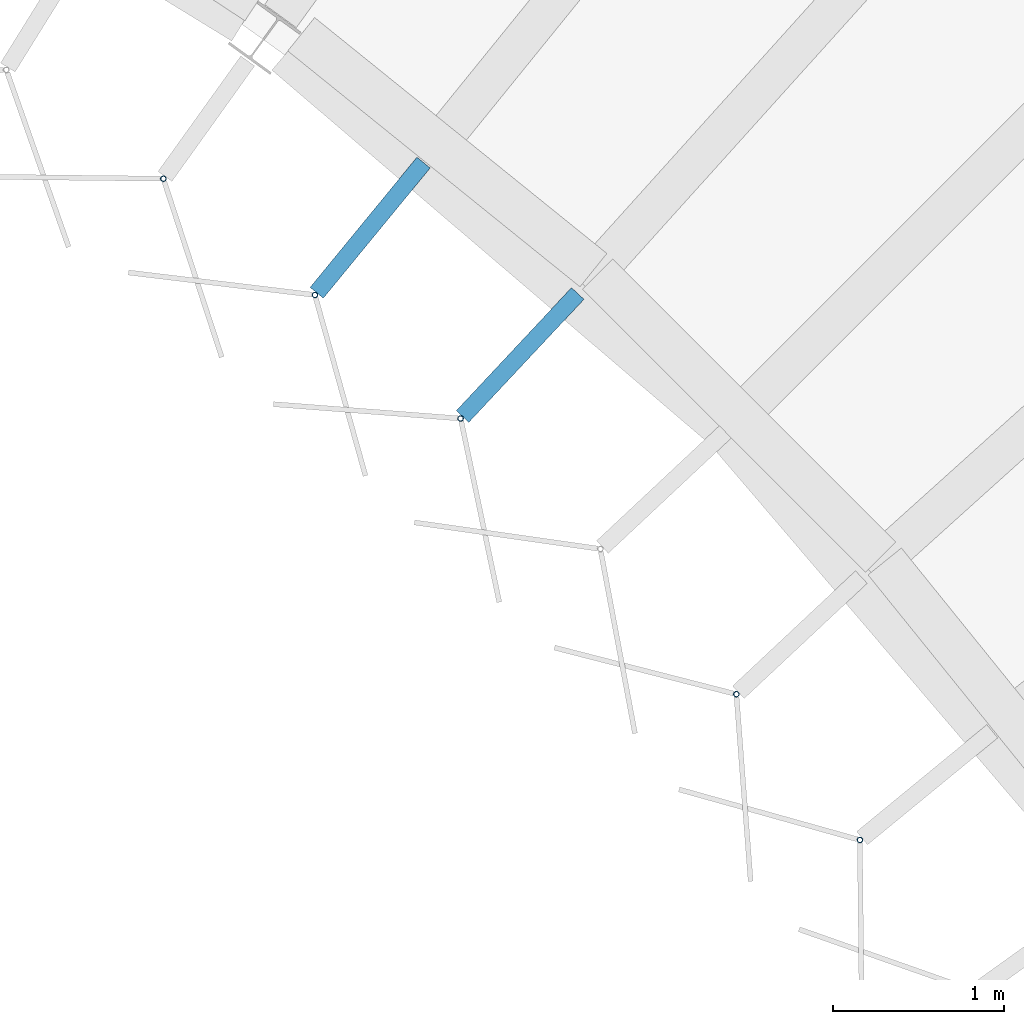
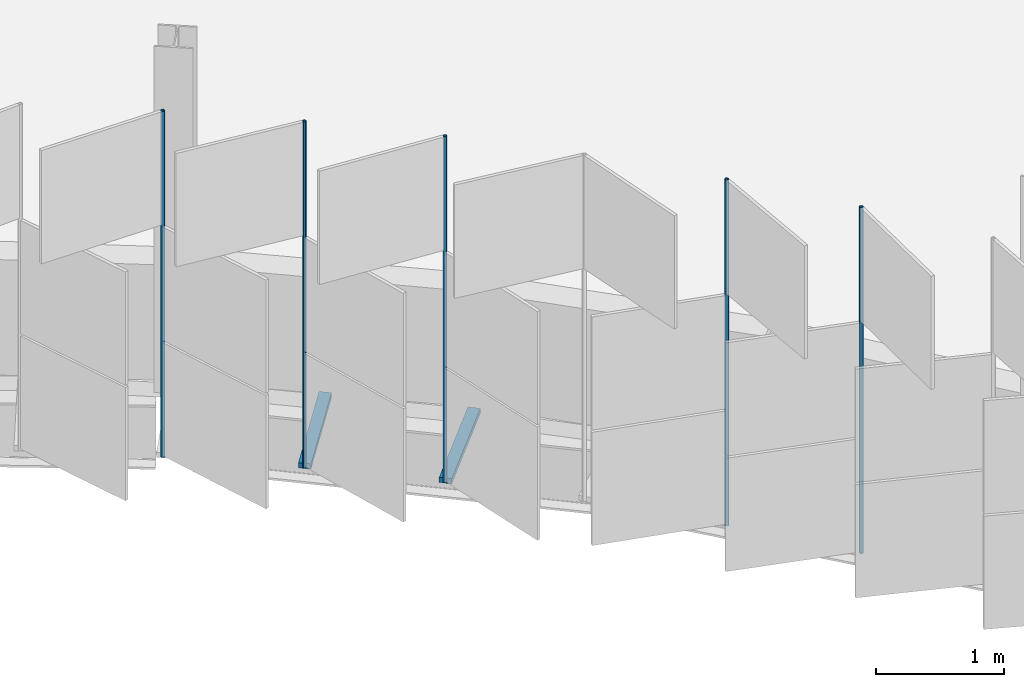
# One storey, part 112 of 198: 7 discrete accessories.
"""IFC4 building model written with IfcOpenShell, lengths in metres."""

from ifc_helpers import new_model, si_unit, direction, frame, origin, origin_2d, place, context, subcontext, project, spatial, rectangle, hollow_circle, extrude, material, material_profile, profile_set, type_object, element, save


model = new_model("IFC4")

# Units and contexts
model_context = context("Model", 3, precision=1e-05, world=origin(), true_north=direction((0.0, 1.0)))
body_context = subcontext(model_context, "Body", "Model", "MODEL_VIEW")
ifc_project = project(units=[si_unit("LENGTHUNIT", "METRE"), si_unit("AREAUNIT", "SQUARE_METRE"), si_unit("VOLUMEUNIT", "CUBIC_METRE"), si_unit("PLANEANGLEUNIT", "RADIAN"), si_unit("MASSUNIT", "GRAM", prefix="KILO")], contexts=[model_context])

# Site, building, storey
site_placement = place(None, origin())
site = spatial("IfcSite", under=ifc_project, at=site_placement, CompositionType="ELEMENT")
building_placement = place(site_placement, origin())
building = spatial("IfcBuilding", under=site, at=building_placement, Name="Parallax Yard Mobility Hub", CompositionType="ELEMENT")
storey_placement = place(building_placement, frame((0.0, 0.0, 6.60009765625)))
storey = spatial("IfcBuildingStorey", under=building, at=storey_placement, Name="L02", CompositionType="ELEMENT", Elevation=6.60009765625)

# Discrete accessories
ifc_material_1 = material(Name="Steel ASTM A36, hot-dip galvanised", Category="steel")
discrete_accessory_type_1 = type_object("IfcDiscreteAccessoryType", Name="Hinge bracket plate 100x50", PredefinedType="BRACKET", material=ifc_material_1)
for number, where, z_axis, x_axis, name in (
    (1, (186.34228515625, 107.095458984375, -0.02490234375), (0.0, 0.0, 1.0), (-0.634393284164, -0.773010453363, 0.0), "Hinge bracket plate bay 20.2 level L02"),
    (2, (187.218505859375, 106.35205078125, -0.02490234375), (0.0, 0.0, 1.0), (-0.683592302023, -0.729864072698, 0.0), "Hinge bracket plate bay 20.3 level L02"),
):
    element("IfcDiscreteAccessory", number, at=place(storey_placement, frame(where, z_axis=z_axis, x_axis=x_axis)), inside=storey, type_object=discrete_accessory_type_1, Name=name, PredefinedType="BRACKET", context=body_context, shape_type="SweptSolid", body=[
        extrude(rectangle(XDim=0.984130859375, YDim=0.10009765625, at=origin_2d()), origin(), (0.0, 0.0, 1.0), 0.050048828125),
    ])
ifc_material_2 = material(Name="Steel ASTM A500 Gr C, hot-dip galvanised", Category="steel")
ifc_material_profile = material_profile(ifc_material_2, hollow_circle(Radius=0.016845703125, WallThickness=0.003173828125, at=origin_2d()), Name="CHS 33.7x3.2")
ifc_profile_set = profile_set([ifc_material_profile], Name="Steel ASTM A500 Gr C, hot-dip galvanised")
discrete_accessory_type_2 = type_object("IfcDiscreteAccessoryType", Name="Hinge post CHS 33.7x3.2", PredefinedType="BRACKET", material=ifc_profile_set)
for number, where, z_axis, x_axis, name in (
    (3, (185.134521484375, 107.381591796875, 0.0), (0.0, 0.0, 1.0), (1.0, 0.0, 0.0), "Hinge post bay 20.1 level L02"),
    (4, (186.019775390625, 106.702392578125, 0.0), (0.0, 0.0, 1.0), (1.0, 0.0, 0.0), "Hinge post bay 20.2 level L02"),
    (5, (186.87109375, 105.98095703125, 0.0), (0.0, 0.0, 1.0), (1.0, 0.0, 0.0), "Hinge post bay 20.3 level L02"),
    (6, (188.481201171875, 104.370849609375, 0.0), (0.0, 0.0, 1.0), (1.0, 0.0, 0.0), "Hinge post bay 20.5 level L02"),
    (7, (189.20263671875, 103.519287109375, 0.0), (0.0, 0.0, 1.0), (1.0, 0.0, 0.0), "Hinge post bay 20.6 level L02"),
):
    element("IfcDiscreteAccessory", number, at=place(storey_placement, frame(where, z_axis=z_axis, x_axis=x_axis)), inside=storey, type_object=discrete_accessory_type_2, Name=name, PredefinedType="BRACKET", context=body_context, shape_type="SweptSolid", body=[
        extrude(hollow_circle(Radius=0.016845703125, WallThickness=0.003173828125, at=origin_2d()), origin(), (0.0, 0.0, 1.0), 3.2998046875),
    ])

save(model, "model.ifc")
